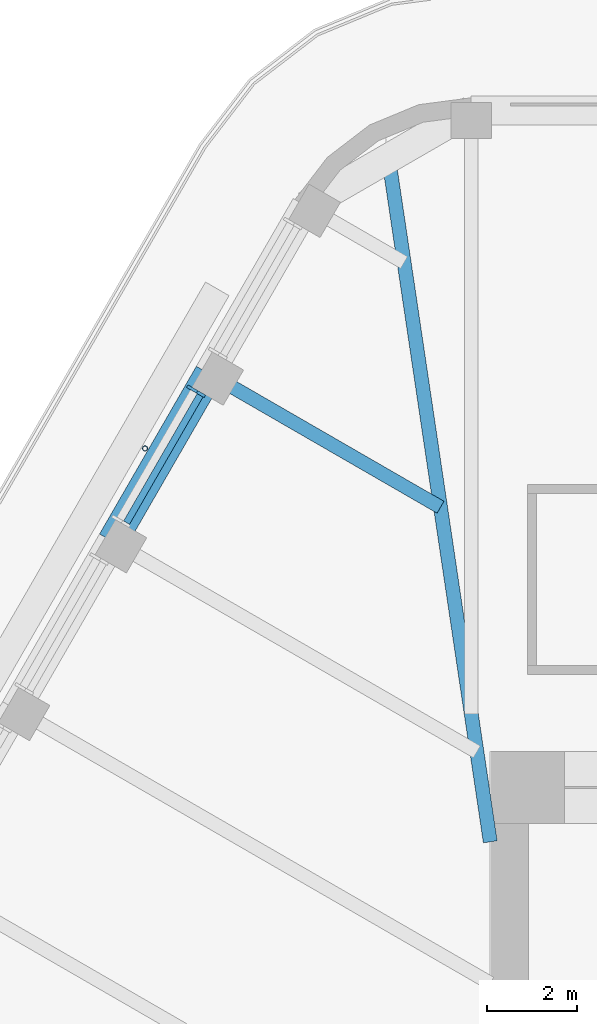
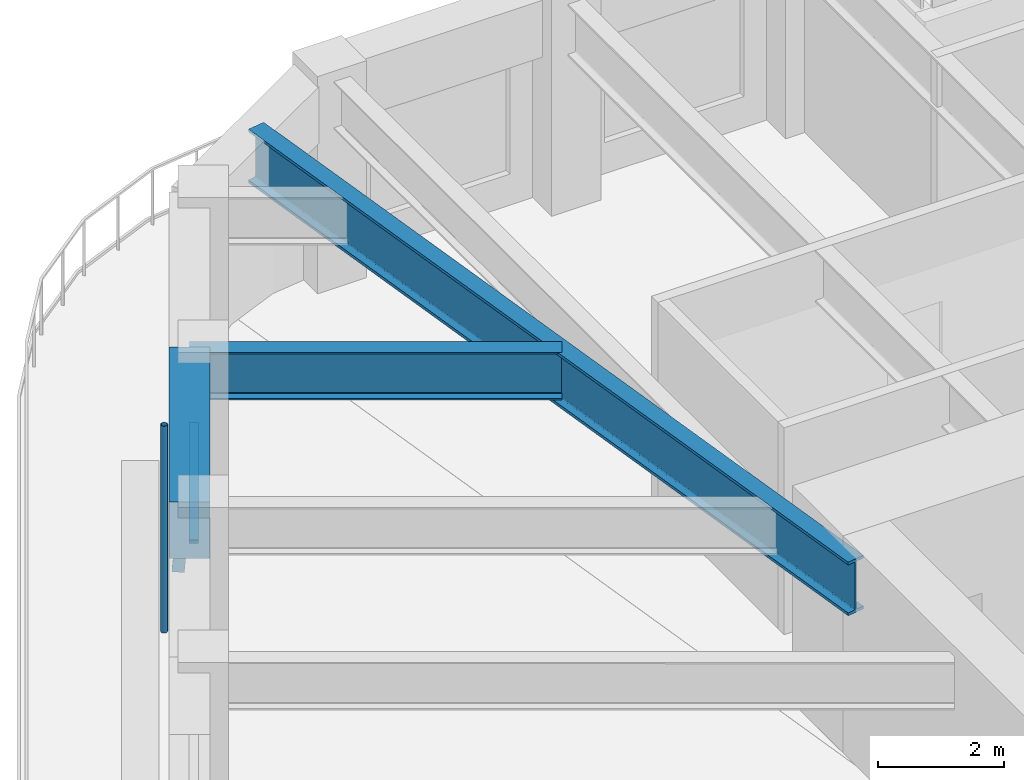
# One storey, part 8 of 19: 3 beams, 3 members, 1 element without a shape of its own.
"""IFC4 building model written with IfcOpenShell, lengths in metres."""

import ifcopenshell
import ifcopenshell.guid

model = None  # the IFC model being written
_history = None  # IfcOwnerHistory: only IFC2X3 demands one
_inside = {}  # id of a spatial element -> (the spatial element, [elements in it])
_under = {}  # id of a project, library or spatial element -> (it, [spatial elements below it])
_declared = {}  # id of a project -> (the project, [libraries it declares])
_typed = {}  # id of a type object -> (the type object, [elements of that type])
_made_of = {}  # id of a material, layer set ... -> (it, [elements and type objects made of it])


def new_model(schema):
    """Start an empty IFC model of exactly this schema.

    Asked for "IFC4X3", IfcOpenShell would pick the latest addendum, in which some entities
    have other attributes; the version numbers below select the first issue.
    IFC2X3 requires an IfcOwnerHistory on every rooted entity: one is made here for all.
    """
    global model, _history
    if schema == "IFC4X3":
        model = ifcopenshell.file(schema_version=(4, 3, 0, 0))
    else:
        model = ifcopenshell.file(schema=schema)
    _inside.clear()
    _under.clear()
    _declared.clear()
    _typed.clear()
    _made_of.clear()
    _history = None
    if model.schema == "IFC2X3":
        org = make("IfcOrganization", Name="unknown")
        user = make(
            "IfcPersonAndOrganization",
            ThePerson=make("IfcPerson", FamilyName="unknown"),
            TheOrganization=org,
        )
        app = make(
            "IfcApplication",
            ApplicationDeveloper=org,
            Version="unknown",
            ApplicationFullName="unknown",
            ApplicationIdentifier="unknown",
        )
        _history = make(
            "IfcOwnerHistory",
            OwningUser=user,
            OwningApplication=app,
            ChangeAction="ADDED",
            CreationDate=0,
        )
    return model


def make(cls, **values):
    """One entity of the class cls with the attributes given. An attribute that is None is left unset."""
    return model.create_entity(
        cls, **{name: value for name, value in values.items() if value is not None}
    )


def rooted(cls, **values):
    """An entity with a GlobalId (a new one), such as an element, a storey or a relation."""
    return make(cls, GlobalId=ifcopenshell.guid.new(), OwnerHistory=_history, **values)


def si_unit(unit_type, name, prefix=None):
    """IfcSIUnit, for example si_unit("LENGTHUNIT", "METRE", prefix="MILLI")."""
    return make("IfcSIUnit", UnitType=unit_type, Prefix=prefix, Name=name)


def assignment(units):
    """IfcUnitAssignment: the units of a project."""
    return None if units is None else make("IfcUnitAssignment", Units=units)


def point(xyz):
    """IfcCartesianPoint."""
    return None if xyz is None else make("IfcCartesianPoint", Coordinates=xyz)


def direction(xyz):
    """IfcDirection."""
    return None if xyz is None else make("IfcDirection", DirectionRatios=xyz)


def frame(location, z_axis=None, x_axis=None):
    """IfcAxis2Placement3D, a coordinate frame: its origin and axes. An axis left out is left unset."""
    return make(
        "IfcAxis2Placement3D",
        Location=point(location),
        Axis=direction(z_axis),
        RefDirection=direction(x_axis),
    )


def frame_2d(location, x_axis=None):
    """IfcAxis2Placement2D, a coordinate frame in the plane: its origin and x axis."""
    return make(
        "IfcAxis2Placement2D", Location=point(location), RefDirection=direction(x_axis)
    )


def origin():
    """The frame at (0, 0, 0) with its axes left unset."""
    return frame((0.0, 0.0, 0.0))


def origin_2d():
    """The frame at (0, 0) in the plane with its x axis left unset."""
    return frame_2d((0.0, 0.0))


def place(relative_to, where):
    """IfcLocalPlacement: puts the frame where relative to a parent placement (None: the world)."""
    return make(
        "IfcLocalPlacement", PlacementRelTo=relative_to, RelativePlacement=where
    )


def context(
    kind, dimensions, precision=None, world=None, true_north=None, identifier=None
):
    """IfcGeometricRepresentationContext, for example the 3D "Model" context."""
    return make(
        "IfcGeometricRepresentationContext",
        ContextIdentifier=identifier,
        ContextType=kind,
        CoordinateSpaceDimension=dimensions,
        Precision=precision,
        WorldCoordinateSystem=world,
        TrueNorth=true_north,
    )


def subcontext(parent, identifier, kind, view, scale=None):
    """IfcGeometricRepresentationSubContext, for example "Body" below "Model"."""
    return make(
        "IfcGeometricRepresentationSubContext",
        ContextIdentifier=identifier,
        ContextType=kind,
        ParentContext=parent,
        TargetScale=scale,
        TargetView=view,
    )


def project(units=None, contexts=None):
    """IfcProject with its units and contexts."""
    return rooted(
        "IfcProject",
        Name="project",
        RepresentationContexts=contexts,
        UnitsInContext=assignment(units),
    )


def spatial(cls, under=None, at=None, **own):
    """A site, building, storey or space (cls), placed at a placement, below another one or the project."""
    s = rooted(cls, ObjectPlacement=at, **own)
    if under is not None:
        _under.setdefault(under.id(), (under, []))[1].append(s)
    return s


def profile(cls, at=None, kind="AREA", **sizes):
    """A parametric profile (cls). Its sizes go by their IFC names, for example OverallWidth=200.0."""
    return make(cls, ProfileType=kind, Position=at, **sizes)


def rectangle(**sizes):
    """IfcRectangleProfileDef."""
    return profile("IfcRectangleProfileDef", **sizes)


def hollow_circle(**sizes):
    """IfcCircleHollowProfileDef."""
    return profile("IfcCircleHollowProfileDef", **sizes)


def i_section(**sizes):
    """IfcIShapeProfileDef."""
    return profile("IfcIShapeProfileDef", **sizes)


def extrude(swept, where, along, depth):
    """IfcExtrudedAreaSolid: the profile swept, set in the frame where, extruded along a direction by depth."""
    return make(
        "IfcExtrudedAreaSolid",
        SweptArea=swept,
        Position=where,
        ExtrudedDirection=direction(along),
        Depth=depth,
    )


def shape(context_of_items, identifier, shape_type, items):
    """IfcShapeRepresentation: the items that make up one representation, for example the "Body"."""
    return make(
        "IfcShapeRepresentation",
        ContextOfItems=context_of_items,
        RepresentationIdentifier=identifier,
        RepresentationType=shape_type,
        Items=items,
    )


def material(Name=None, Category=None):
    """IfcMaterial."""
    return make("IfcMaterial", Name=Name, Category=Category)


def material_profile(
    of_material, cross_section, Name=None, Category=None, Priority=None
):
    """IfcMaterialProfile: a cross section and its material."""
    return make(
        "IfcMaterialProfile",
        Name=Name,
        Material=of_material,
        Profile=cross_section,
        Priority=Priority,
        Category=Category,
    )


def profile_set(profiles, Name=None, composite=None):
    """IfcMaterialProfileSet."""
    return make(
        "IfcMaterialProfileSet",
        Name=Name,
        MaterialProfiles=profiles,
        CompositeProfile=composite,
    )


def made_of(thing, what):
    """Note that an element or type object is made of a material, layer set ...; save() writes the relation."""
    if what is not None:
        _made_of.setdefault(what.id(), (what, []))[1].append(thing)
    return thing


def type_object(cls, material=None, **own):
    """A type object (cls), such as IfcWallType, which elements share."""
    return made_of(rooted(cls, **own), material)


def element(
    cls,
    number,
    at=None,
    inside=None,
    cuts=None,
    type_object=None,
    material=None,
    context=None,
    identifier="Body",
    shape_type=None,
    held_by="IfcProductDefinitionShape",
    body=None,
    shapes=None,
    **own,
):
    """One element of the class cls, such as IfcWall. Its Tag is "e" and its number.

    at: its placement. inside: the storey or other place that contains it. cuts: it is an
    opening in that element (IfcRelVoidsElement). A single representation is given by context,
    identifier, shape_type and body (its items); several are given by shapes. held_by: the class
    of the entity that holds the representations. save() writes the other relations.
    """
    e = rooted(cls, Tag="e%d" % number, ObjectPlacement=at, **own)
    if body is not None:
        shapes = [shape(context, identifier, shape_type, body)]
    if shapes is not None:
        e.Representation = make(held_by, Representations=shapes)
    if inside is not None:
        _inside.setdefault(inside.id(), (inside, []))[1].append(e)
    if cuts is not None:
        rooted(
            "IfcRelVoidsElement", RelatingBuildingElement=cuts, RelatedOpeningElement=e
        )
    if type_object is not None:
        _typed.setdefault(type_object.id(), (type_object, []))[1].append(e)
    return made_of(e, material)


def aggregate(whole, parts):
    """IfcRelAggregates: a whole, such as a stair, and the parts it consists of."""
    return rooted("IfcRelAggregates", RelatingObject=whole, RelatedObjects=parts)


def save(model, path):
    """Write the relations noted so far, then the file.

    IfcRelAggregates (storeys below a building ...), IfcRelContainedInSpatialStructure (elements
    in a storey), IfcRelDefinesByType, IfcRelAssociatesMaterial and IfcRelDeclares: one each for
    every whole, place, type object, material and project.
    """
    for whole, parts in _under.values():
        aggregate(whole, parts)
    for where, things in _inside.values():
        rooted(
            "IfcRelContainedInSpatialStructure",
            RelatedElements=things,
            RelatingStructure=where,
        )
    for kind, things in _typed.values():
        rooted("IfcRelDefinesByType", RelatedObjects=things, RelatingType=kind)
    for what, things in _made_of.values():
        rooted("IfcRelAssociatesMaterial", RelatedObjects=things, RelatingMaterial=what)
    for by, libraries in _declared.values():
        rooted("IfcRelDeclares", RelatingContext=by, RelatedDefinitions=libraries)
    model.write(path)


model = new_model("IFC4")

# Units and contexts
model_context = context("Model", 3, precision=1e-05, world=origin(), true_north=direction((0.0, 1.0)))
body_context = subcontext(model_context, "Body", "Model", "MODEL_VIEW")
ifc_project = project(units=[si_unit("LENGTHUNIT", "METRE"), si_unit("AREAUNIT", "SQUARE_METRE"), si_unit("VOLUMEUNIT", "CUBIC_METRE"), si_unit("PLANEANGLEUNIT", "RADIAN"), si_unit("MASSUNIT", "GRAM", prefix="KILO")], contexts=[model_context])

# Site, building, storey
site_placement = place(None, origin())
site = spatial("IfcSite", under=ifc_project, at=site_placement, CompositionType="ELEMENT")
building_placement = place(site_placement, origin())
building = spatial("IfcBuilding", under=site, at=building_placement, Name="Tarfa Lantern Tower", CompositionType="ELEMENT")
storey_placement = place(building_placement, frame((0.0, 0.0, 370.300048828125)))
storey = spatial("IfcBuildingStorey", under=building, at=storey_placement, Name="L84", CompositionType="ELEMENT", Elevation=370.300048828125)

# Curtain wall, members
ifc_material_1 = material(Name="Aluminium framed curtain wall", Category="aluminium")
curtain_wall_type = type_object("IfcCurtainWallType", Name="CW4 CANTED GLAZING EXECUTIVE ZONE 2900", PredefinedType="USERDEFINED", material=ifc_material_1)
curtain_wall_placement = place(storey_placement, origin())
curtain_wall = element("IfcCurtainWall", 1, at=curtain_wall_placement, inside=storey, type_object=curtain_wall_type, Name="CW4 NW L84", ObjectType="CURTAIN WALL", PredefinedType="USERDEFINED")
ifc_material_2 = material(Name="Aluminium mullion", Category="aluminium")
ifc_material_profile_1 = material_profile(ifc_material_2, rectangle(XDim=0.06494140625, YDim=0.199951171875, at=origin_2d()), Name="AL MULLION 65x200")
ifc_profile_set_1 = profile_set([ifc_material_profile_1], Name="Aluminium mullion")
member_type_1 = type_object("IfcMemberType", Name="CWM1 MULLION 65x200", PredefinedType="MULLION", material=ifc_profile_set_1)
member_1_placement = place(storey_placement, frame((-19.038818359375, 20.32373046875, 0.0), z_axis=(0.074399820079, -0.042945555672, 0.996303340364), x_axis=(0.499919672301, 0.866071776036, 0.0)))
member_1 = element("IfcMember", 2, at=member_1_placement, type_object=member_type_1, Name="CW4 mullion 1", PredefinedType="MULLION", context=body_context, shape_type="SweptSolid", body=[
    extrude(rectangle(XDim=0.06494140625, YDim=0.199951171875, at=origin_2d()), origin(), (0.0, 0.0, 1.0), 2.91064453125),
])
ifc_material_3 = material(Name="Aluminium transom", Category="aluminium")
ifc_material_profile_2 = material_profile(ifc_material_3, rectangle(XDim=0.14990234375, YDim=0.06494140625, at=origin_2d()), Name="AL TRANSOM 150x65")
ifc_profile_set_2 = profile_set([ifc_material_profile_2], Name="Aluminium transom")
member_type_2 = type_object("IfcMemberType", Name="CWT1 TRANSOM 150x65", PredefinedType="USERDEFINED", material=ifc_profile_set_2)
member_2_placement = place(storey_placement, frame((-18.841064453125, 20.172119140625, 2.867431640625), z_axis=(-0.499982393232, -0.866035568818, 0.0), x_axis=(0.866035568818, -0.499982393232, 0.0)))
member_2 = element("IfcMember", 3, at=member_2_placement, type_object=member_type_2, Name="CW4 transom 1.2", ObjectType="TRANSOM", PredefinedType="USERDEFINED", context=body_context, shape_type="SweptSolid", body=[
    extrude(rectangle(XDim=0.14990234375, YDim=0.06494140625, at=origin_2d()), origin(), (0.0, 0.0, 1.0), 3.251953125),
])
aggregate(curtain_wall, [member_1, member_2])

# Beam
ifc_material_4 = material(Name="Concrete C80/95", Category="concrete")
ifc_material_profile_3 = material_profile(ifc_material_4, rectangle(XDim=0.64990234375, YDim=1.10009765625, at=origin_2d()), Name="RC 650x1100")
ifc_profile_set_3 = profile_set([ifc_material_profile_3], Name="Concrete C80/95")
beam_type_1 = type_object("IfcBeamType", Name="EB4 RC 650x1100", PredefinedType="SPANDREL", material=ifc_profile_set_3)
beam_1_placement = place(storey_placement, frame((-18.6416015625, 20.651611328125, 3.449951171875), z_axis=(-0.500026801138, -0.866009929587, 0.0), x_axis=(0.866009929587, -0.500026801138, 0.0)))
element("IfcBeam", 4, at=beam_1_placement, inside=storey, type_object=beam_type_1, Name="Edge beam NW1", PredefinedType="SPANDREL", context=body_context, shape_type="SweptSolid", body=[
    extrude(rectangle(XDim=0.64990234375, YDim=1.10009765625, at=origin_2d()), origin(), (0.0, 0.0, 1.0), 4.281982421875),
])

# Member
ifc_material_5 = material(Name="Steel S355", Category="steel")
ifc_material_profile_4 = material_profile(ifc_material_5, hollow_circle(Radius=0.05712890625, WallThickness=0.00634765625, at=origin_2d()), Name="CHS114.3x6.3")
ifc_profile_set_4 = profile_set([ifc_material_profile_4], Name="Steel S355")
member_type_3 = type_object("IfcMemberType", Name="TR1 GREEN WALL TRELLIS CHS114.3x6.3", PredefinedType="USERDEFINED", material=ifc_profile_set_4)
member_3_placement = place(storey_placement, frame((-20.05859375, 18.99755859375, 0.0), z_axis=(0.0, 0.0, 1.0), x_axis=(1.0, 0.0, 0.0)))
element("IfcMember", 5, at=member_3_placement, inside=storey, type_object=member_type_3, Name="Trellis post NW 1", ObjectType="TRELLIS", PredefinedType="USERDEFINED", context=body_context, shape_type="SweptSolid", body=[
    extrude(hollow_circle(Radius=0.05712890625, WallThickness=0.00634765625, at=origin_2d()), origin(), (0.0, 0.0, 1.0), 4.0),
])

# Beams
ifc_material_6 = material(Name="Steel S460M", Category="steel")
ifc_material_profile_5 = material_profile(ifc_material_6, i_section(OverallWidth=0.30859375, OverallDepth=1.036376953125, WebThickness=0.030029296875, FlangeThickness=0.05419921875, FilletRadius=0.030029296875, at=origin_2d()), Name="UB1016x305x487")
ifc_profile_set_5 = profile_set([ifc_material_profile_5], Name="Steel S460M")
beam_type_2 = type_object("IfcBeamType", Name="UB1016x305x487", PredefinedType="BEAM", material=ifc_profile_set_5)
beam_2_placement = place(storey_placement, frame((-12.425048828125, 10.300048828125, 3.481689453125), z_axis=(-0.147127069073, 0.989117599452, 0.0), x_axis=(-0.989117599452, -0.147127069073, 0.0)))
element("IfcBeam", 6, at=beam_2_placement, inside=storey, type_object=beam_type_2, Name="Hip girder NW", PredefinedType="BEAM", context=body_context, shape_type="SweptSolid", body=[
    extrude(i_section(OverallWidth=0.30859375, OverallDepth=1.036376953125, WebThickness=0.030029296875, FlangeThickness=0.05419921875, FilletRadius=0.030029296875, at=origin_2d()), origin(), (0.0, 0.0, 1.0), 15.28125),
])
ifc_material_profile_6 = material_profile(ifc_material_6, i_section(OverallWidth=0.305419921875, OverallDepth=0.91845703125, WebThickness=0.017333984375, FlangeThickness=0.02783203125, FilletRadius=0.01904296875, at=origin_2d()), Name="UB914x305x253")
ifc_profile_set_6 = profile_set([ifc_material_profile_6], Name="Steel S460M")
beam_type_3 = type_object("IfcBeamType", Name="UB914x305x253", PredefinedType="BEAM", material=ifc_profile_set_6)
beam_3_placement = place(storey_placement, frame((-18.6416015625, 20.651611328125, 3.540771484375), z_axis=(0.866024549157, -0.500001480256, 0.0), x_axis=(0.500001480256, 0.866024549157, 0.0)))
element("IfcBeam", 7, at=beam_3_placement, inside=storey, type_object=beam_type_3, Name="Floor beam NW1", PredefinedType="BEAM", context=body_context, shape_type="SweptSolid", body=[
    extrude(i_section(OverallWidth=0.305419921875, OverallDepth=0.91845703125, WebThickness=0.017333984375, FlangeThickness=0.02783203125, FilletRadius=0.01904296875, at=origin_2d()), origin(), (0.0, 0.0, 1.0), 5.90771484375),
])

save(model, "model.ifc")
